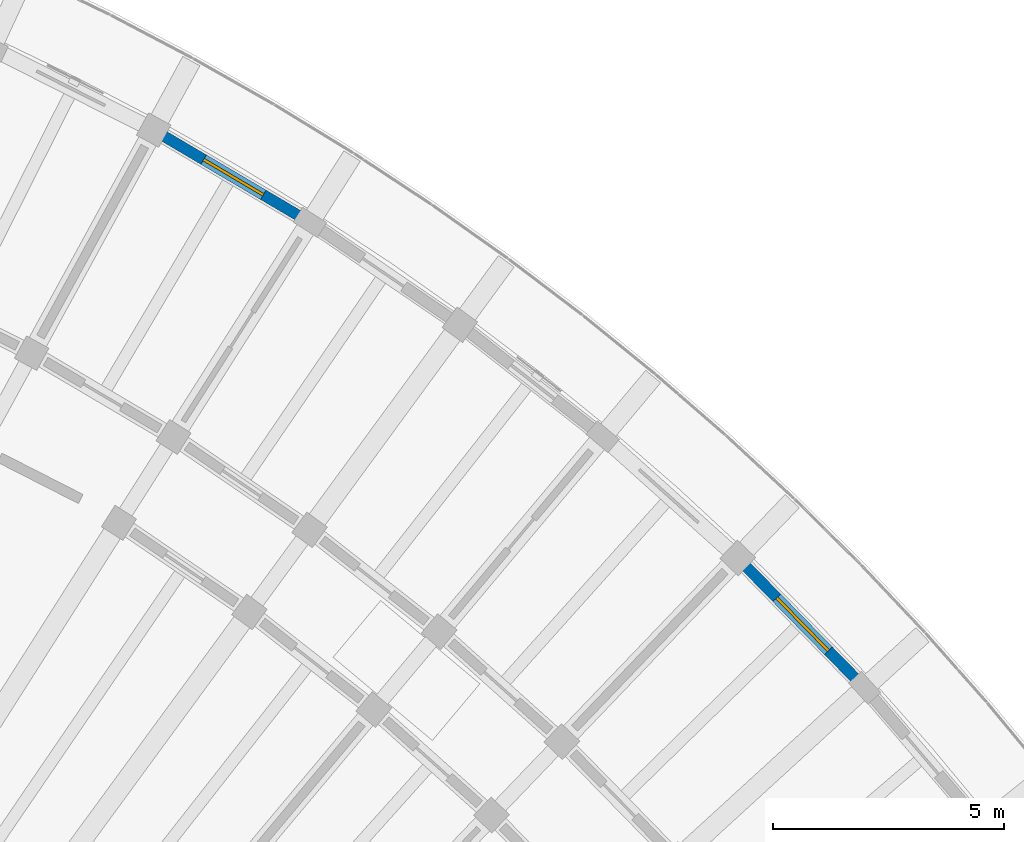
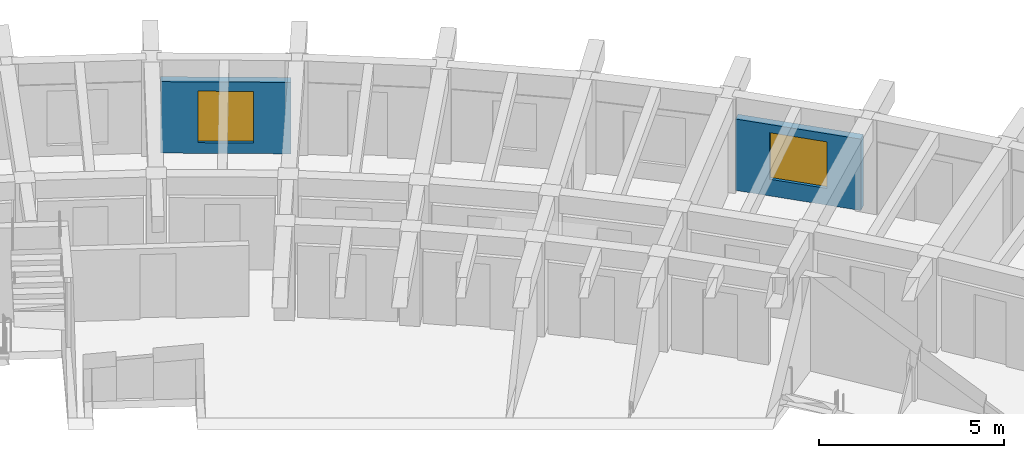
# One storey, part 59 of 81: 2 walls, 2 windows, 2 openings.
"""IFC4 building model written with IfcOpenShell, lengths in metres."""

from ifc_helpers import new_model, si_unit, direction, frame, frame_2d, origin, place, context, subcontext, project, spatial, rectangle, extrude, material, layer, layer_set, type_object, element, fill, save


model = new_model("IFC4")

# Units and contexts
model_context = context("Model", 3, precision=1e-05, world=origin(), true_north=direction((0.0, 1.0)))
body_context = subcontext(model_context, "Body", "Model", "MODEL_VIEW")
ifc_project = project(units=[si_unit("LENGTHUNIT", "METRE"), si_unit("AREAUNIT", "SQUARE_METRE"), si_unit("VOLUMEUNIT", "CUBIC_METRE"), si_unit("PLANEANGLEUNIT", "RADIAN"), si_unit("MASSUNIT", "GRAM", prefix="KILO")], contexts=[model_context])

# Site, building, storey
site_placement = place(None, origin())
site = spatial("IfcSite", under=ifc_project, at=site_placement, CompositionType="ELEMENT")
building_placement = place(site_placement, origin())
building = spatial("IfcBuilding", under=site, at=building_placement, Name="Tanwirah Colonnade Gardens", CompositionType="ELEMENT")
storey_placement = place(building_placement, frame((0.0, 0.0, 18.919921875)))
storey = spatial("IfcBuildingStorey", under=building, at=storey_placement, Name="L05", CompositionType="ELEMENT", Elevation=18.919921875)

# Wall, opening, window
ifc_material_1 = material(Name="Limestone architectural precast concrete C40/50", Category="masonry")
ifc_layer = layer(ifc_material_1, 0.239990234375)
ifc_layer_set = layer_set([ifc_layer], Name="Limestone architectural precast concrete C40/50")
wall_type = type_object("IfcWallType", Name="EW-PC240", PredefinedType="SOLIDWALL", material=ifc_layer_set)
wall_1_placement = place(storey_placement, frame((164.83203125, 100.503173828125, 0.0), z_axis=(0.0, 0.0, 1.0), x_axis=(-0.698841852324, 0.715276216186, 0.0)))
wall_1 = element("IfcWall", 1, at=wall_1_placement, inside=storey, type_object=wall_type, Name="Block B L05 OUT Precast Facade Wall 7", PredefinedType="SOLIDWALL", context=body_context, shape_type="SweptSolid", body=[
    extrude(rectangle(XDim=3.520751953125, YDim=0.239990234375, at=frame_2d((1.76025390625, 0.0))), origin(), (0.0, 0.0, 1.0), 2.35498046875),
])
opening_1_placement = place(wall_1_placement, frame((0.96044921875, 0.0, 0.550048828125)))
opening_1 = element("IfcOpeningElement", 2, at=opening_1_placement, cuts=wall_1, Name="Opening WIN-U12", PredefinedType="OPENING", context=body_context, shape_type="SweptSolid", body=[
    extrude(rectangle(XDim=1.60009765625, YDim=1.534912109375, at=frame_2d((0.800048828125, 0.767578125))), frame((0.0, 0.1298828125, 0.0), z_axis=(0.0, -1.0, 0.0), x_axis=(1.0, 0.0, 0.0)), (0.0, 0.0, 1.0), 0.260009765625),
])
ifc_material_2 = material(Name="Thermally broken bronze aluminium and solar low-E double glazing", Category="aluminium")
window_type_1 = type_object("IfcWindowType", Name="WIN-U12", PartitioningType="DOUBLE_PANEL_VERTICAL", PredefinedType="WINDOW", material=ifc_material_2)
window_1_placement = place(opening_1_placement, origin())
window_1 = element("IfcWindow", 3, at=window_1_placement, inside=storey, type_object=window_type_1, Name="Facade window B-L05-OUT-07", OverallHeight=1.534912109375, OverallWidth=1.60009765625, PartitioningType="SINGLE_PANEL", PredefinedType="WINDOW", context=body_context, shape_type="SweptSolid", body=[
    extrude(rectangle(XDim=1.60009765625, YDim=1.534912109375, at=frame_2d((0.800048828125, 0.767578125))), frame((0.0, 0.030029296875, 0.0), z_axis=(0.0, -1.0, 0.0), x_axis=(1.0, 0.0, 0.0)), (0.0, 0.0, 1.0), 0.06005859375),
])
fill(opening_1, window_1)

wall_2_placement = place(storey_placement, frame((152.8095703125, 110.536376953125, 0.0), z_axis=(0.0, 0.0, 1.0), x_axis=(-0.861136297738, 0.508374150324, 0.0)))
wall_2 = element("IfcWall", 4, at=wall_2_placement, inside=storey, type_object=wall_type, Name="Block B L05 OUT Precast Facade Wall 11", PredefinedType="SOLIDWALL", context=body_context, shape_type="SweptSolid", body=[
    extrude(rectangle(XDim=3.5205078125, YDim=0.239990234375, at=frame_2d((1.76025390625, 0.0))), origin(), (0.0, 0.0, 1.0), 2.35498046875),
])
opening_2_placement = place(wall_2_placement, frame((1.01025390625, 0.0, 0.35009765625)))
opening_2 = element("IfcOpeningElement", 5, at=opening_2_placement, cuts=wall_2, Name="Opening WIN-T08", PredefinedType="OPENING", context=body_context, shape_type="SweptSolid", body=[
    extrude(rectangle(XDim=1.5, YDim=1.699951171875, at=frame_2d((0.75, 0.85009765625))), frame((0.0, 0.1298828125, 0.0), z_axis=(0.0, -1.0, 0.0), x_axis=(1.0, 0.0, 0.0)), (0.0, 0.0, 1.0), 0.260009765625),
])
window_type_2 = type_object("IfcWindowType", Name="WIN-T08", PartitioningType="DOUBLE_PANEL_VERTICAL", PredefinedType="WINDOW", material=ifc_material_2)
window_2_placement = place(opening_2_placement, origin())
window_2 = element("IfcWindow", 6, at=window_2_placement, inside=storey, type_object=window_type_2, Name="Facade window B-L05-OUT-11", OverallHeight=1.699951171875, OverallWidth=1.5, PartitioningType="SINGLE_PANEL", PredefinedType="WINDOW", context=body_context, shape_type="SweptSolid", body=[
    extrude(rectangle(XDim=1.5, YDim=1.699951171875, at=frame_2d((0.75, 0.85009765625))), frame((0.0, 0.030029296875, 0.0), z_axis=(0.0, -1.0, 0.0), x_axis=(1.0, 0.0, 0.0)), (0.0, 0.0, 1.0), 0.06005859375),
])
fill(opening_2, window_2)

save(model, "model.ifc")
